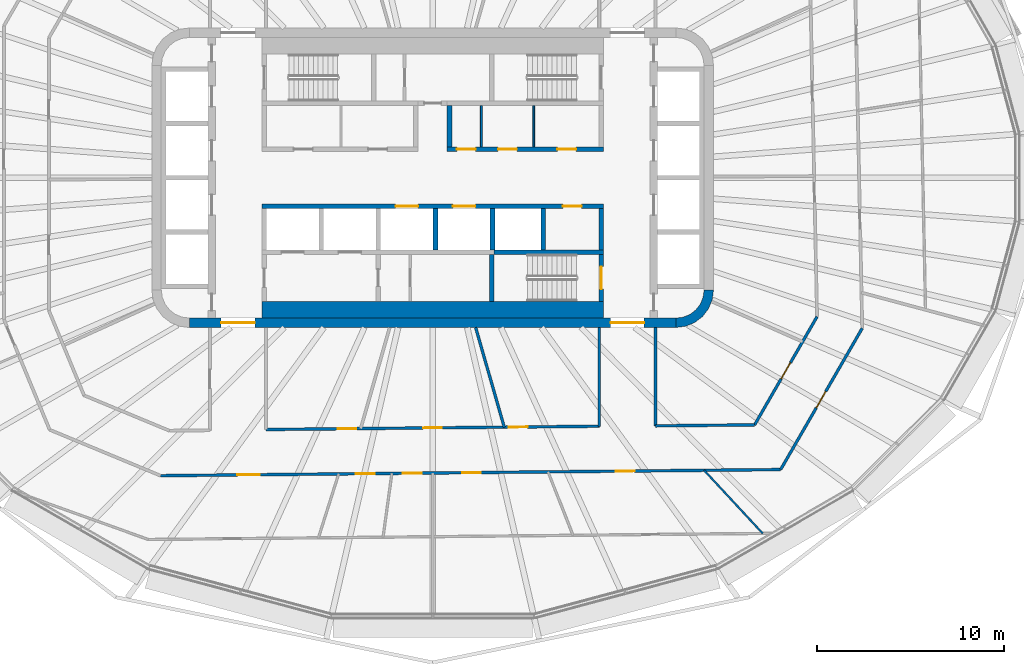
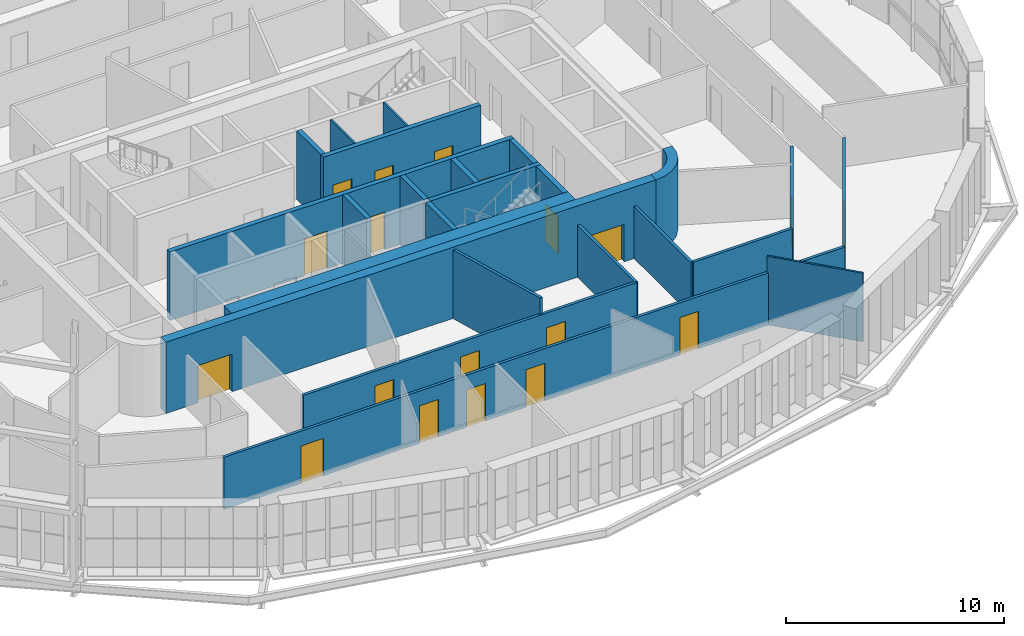
# One storey, part 13 of 24: 24 walls, 19 doors, 19 openings.
"""IFC4 building model written with IfcOpenShell, lengths in metres."""

from ifc_helpers import new_model, si_unit, direction, frame, frame_2d, origin, place, context, subcontext, project, spatial, polyline, rectangle, outline, extrude, material, layer, layer_set, type_object, element, fill, save


model = new_model("IFC4")

# Units and contexts
model_context = context("Model", 3, precision=1e-05, world=origin(), true_north=direction((0.0, 1.0)))
body_context = subcontext(model_context, "Body", "Model", "MODEL_VIEW")
ifc_project = project(units=[si_unit("LENGTHUNIT", "METRE"), si_unit("AREAUNIT", "SQUARE_METRE"), si_unit("VOLUMEUNIT", "CUBIC_METRE"), si_unit("PLANEANGLEUNIT", "RADIAN"), si_unit("MASSUNIT", "GRAM", prefix="KILO")], contexts=[model_context])

# Site, building, storey
site_placement = place(None, origin())
site = spatial("IfcSite", under=ifc_project, at=site_placement, CompositionType="ELEMENT")
building_placement = place(site_placement, origin())
building = spatial("IfcBuilding", under=site, at=building_placement, Name="Sahrelin Media Tower", CompositionType="ELEMENT")
storey_placement = place(building_placement, frame((0.0, 0.0, 153.60009765625)))
storey = spatial("IfcBuildingStorey", under=building, at=storey_placement, Name="L31", CompositionType="ELEMENT", Elevation=153.60009765625)

# Wall, openings, doors
ifc_material_1 = material(Name="Concrete C60/75", Category="concrete")
ifc_layer_1 = layer(ifc_material_1, 0.5)
ifc_layer_set_1 = layer_set([ifc_layer_1], Name="Core wall 500")
wall_type_1 = type_object("IfcWallType", Name="Core wall 500", PredefinedType="SHEAR", material=ifc_layer_set_1)
wall_1_placement = place(storey_placement, frame((-13.0, -7.75, 0.0), z_axis=(0.0, 0.0, 1.0), x_axis=(1.0, 0.0, 0.0)))
wall_1 = element("IfcWall", 1, at=wall_1_placement, inside=storey, type_object=wall_type_1, Name="Core wall S L31", PredefinedType="SHEAR", context=body_context, shape_type="SweptSolid", body=[
    extrude(rectangle(XDim=26.0, YDim=0.5, at=frame_2d((13.0, 0.0))), origin(), (0.0, 0.0, 1.0), 4.0),
])
opening_1_placement = place(wall_1_placement, frame((1.699951171875, 0.0, 0.0)))
opening_1 = element("IfcOpeningElement", 2, at=opening_1_placement, cuts=wall_1, Name="Opening L31-D21", PredefinedType="OPENING", context=body_context, shape_type="SweptSolid", body=[
    extrude(rectangle(XDim=1.800048828125, YDim=2.10009765625, at=frame_2d((0.89990234375, 1.050048828125))), frame((0.0, 0.25, 0.0), z_axis=(0.0, -1.0, 0.0), x_axis=(1.0, 0.0, 0.0)), (0.0, 0.0, 1.0), 0.5),
])
opening_2_placement = place(wall_1_placement, frame((22.5, 0.0, 0.0)))
opening_2 = element("IfcOpeningElement", 3, at=opening_2_placement, cuts=wall_1, Name="Opening L31-D22", PredefinedType="OPENING", context=body_context, shape_type="SweptSolid", body=[
    extrude(rectangle(XDim=1.800048828125, YDim=2.10009765625, at=frame_2d((0.89990234375, 1.050048828125))), frame((0.0, 0.25, 0.0), z_axis=(0.0, -1.0, 0.0), x_axis=(1.0, 0.0, 0.0)), (0.0, 0.0, 1.0), 0.5),
])
ifc_material_2 = material(Name="Steel fire door leaf", Category="steel")
door_type_1 = type_object("IfcDoorType", Name="Lobby double door 1800 x 2100 EI 60", OperationType="DOUBLE_DOOR_SINGLE_SWING", PredefinedType="DOOR", material=ifc_material_2)
door_1_placement = place(opening_1_placement, origin())
door_1 = element("IfcDoor", 4, at=door_1_placement, inside=storey, type_object=door_type_1, Name="Lobby door", OperationType="DOUBLE_DOOR_SINGLE_SWING", OverallHeight=2.10009765625, OverallWidth=1.800048828125, PredefinedType="DOOR", context=body_context, shape_type="SweptSolid", body=[
    extrude(rectangle(XDim=1.800048828125, YDim=2.10009765625, at=frame_2d((0.89990234375, 1.050048828125))), frame((0.0, 0.02490234375, 0.0), z_axis=(0.0, -1.0, 0.0), x_axis=(1.0, 0.0, 0.0)), (0.0, 0.0, 1.0), 0.050048828125),
])
fill(opening_1, door_1)
door_2_placement = place(opening_2_placement, origin())
door_2 = element("IfcDoor", 5, at=door_2_placement, inside=storey, type_object=door_type_1, Name="Lobby door", OperationType="DOUBLE_DOOR_SINGLE_SWING", OverallHeight=2.10009765625, OverallWidth=1.800048828125, PredefinedType="DOOR", context=body_context, shape_type="SweptSolid", body=[
    extrude(rectangle(XDim=1.800048828125, YDim=2.10009765625, at=frame_2d((0.89990234375, 1.050048828125))), frame((0.0, 0.02490234375, 0.0), z_axis=(0.0, -1.0, 0.0), x_axis=(1.0, 0.0, 0.0)), (0.0, 0.0, 1.0), 0.050048828125),
])
fill(opening_2, door_2)

# Wall
wall_2_placement = place(storey_placement, origin())
element("IfcWall", 6, at=wall_2_placement, inside=storey, type_object=wall_type_1, Name="Core wall corner SE L31", PredefinedType="SHEAR", context=body_context, shape_type="SweptSolid", body=[
    extrude(outline(polyline([(15.0, -6.0), (14.49560546875, -6.0), (14.44482421875, -6.38720703125), (14.29541015625, -6.747802734375), (14.0576171875, -7.0576171875), (13.747802734375, -7.29541015625), (13.38720703125, -7.44482421875), (13.0, -7.49560546875), (13.0, -8.0), (13.517578125, -7.931884765625), (14.0, -7.732177734375), (14.414306640625, -7.414306640625), (14.732177734375, -7.0), (14.931884765625, -6.517578125), (15.0, -6.0)])), origin(), (0.0, 0.0, 1.0), 4.0),
])

# Wall, openings, doors
ifc_material_3 = material(Name="Fire-rated gypsum board partition")
ifc_layer_2 = layer(ifc_material_3, 0.25)
ifc_layer_set_2 = layer_set([ifc_layer_2], Name="Fire-rated lobby wall 250")
wall_type_2 = type_object("IfcWallType", Name="Fire-rated lobby wall 250", PredefinedType="PARTITIONING", material=ifc_layer_set_2)
wall_3_placement = place(storey_placement, frame((0.77490234375, 1.52490234375, 0.0), z_axis=(0.0, 0.0, 1.0), x_axis=(1.0, 0.0, 0.0)))
wall_3 = element("IfcWall", 7, at=wall_3_placement, inside=storey, type_object=wall_type_2, Name="Core lobby wall", PredefinedType="PARTITIONING", context=body_context, shape_type="SweptSolid", body=[
    extrude(rectangle(XDim=8.35009765625, YDim=0.25, at=frame_2d((4.175048828125, 0.0))), origin(), (0.0, 0.0, 1.0), 3.849853515625),
])
opening_3_placement = place(wall_3_placement, frame((0.512451171875, 0.0, 0.0)))
opening_3 = element("IfcOpeningElement", 8, at=opening_3_placement, cuts=wall_3, Name="Opening L31-D11", PredefinedType="OPENING", context=body_context, shape_type="SweptSolid", body=[
    extrude(rectangle(XDim=1.0, YDim=2.10009765625, at=frame_2d((0.5, 1.050048828125))), frame((0.0, 0.125, 0.0), z_axis=(0.0, -1.0, 0.0), x_axis=(1.0, 0.0, 0.0)), (0.0, 0.0, 1.0), 0.25),
])
opening_4_placement = place(wall_3_placement, frame((2.72509765625, 0.0, 0.0)))
opening_4 = element("IfcOpeningElement", 9, at=opening_4_placement, cuts=wall_3, Name="Opening L31-D12", PredefinedType="OPENING", context=body_context, shape_type="SweptSolid", body=[
    extrude(rectangle(XDim=1.0, YDim=2.10009765625, at=frame_2d((0.5, 1.050048828125))), frame((0.0, 0.125, 0.0), z_axis=(0.0, -1.0, 0.0), x_axis=(1.0, 0.0, 0.0)), (0.0, 0.0, 1.0), 0.25),
])
opening_5_placement = place(wall_3_placement, frame((5.887451171875, 0.0, 0.0)))
opening_5 = element("IfcOpeningElement", 10, at=opening_5_placement, cuts=wall_3, Name="Opening L31-D13", PredefinedType="OPENING", context=body_context, shape_type="SweptSolid", body=[
    extrude(rectangle(XDim=1.0, YDim=2.10009765625, at=frame_2d((0.5, 1.050048828125))), frame((0.0, 0.125, 0.0), z_axis=(0.0, -1.0, 0.0), x_axis=(1.0, 0.0, 0.0)), (0.0, 0.0, 1.0), 0.25),
])
door_type_2 = type_object("IfcDoorType", Name="Fire door 1000 x 2100 EI 60", OperationType="NOTDEFINED", PredefinedType="DOOR", material=ifc_material_2)
door_3_placement = place(opening_3_placement, origin())
door_3 = element("IfcDoor", 11, at=door_3_placement, inside=storey, type_object=door_type_2, Name="Core room door", OperationType="SINGLE_SWING_LEFT", OverallHeight=2.10009765625, OverallWidth=1.0, PredefinedType="DOOR", context=body_context, shape_type="SweptSolid", body=[
    extrude(rectangle(XDim=1.0, YDim=2.10009765625, at=frame_2d((0.5, 1.050048828125))), frame((0.0, 0.02490234375, 0.0), z_axis=(0.0, -1.0, 0.0), x_axis=(1.0, 0.0, 0.0)), (0.0, 0.0, 1.0), 0.050048828125),
])
fill(opening_3, door_3)
door_4_placement = place(opening_4_placement, origin())
door_4 = element("IfcDoor", 12, at=door_4_placement, inside=storey, type_object=door_type_2, Name="Core room door", OperationType="SINGLE_SWING_LEFT", OverallHeight=2.10009765625, OverallWidth=1.0, PredefinedType="DOOR", context=body_context, shape_type="SweptSolid", body=[
    extrude(rectangle(XDim=1.0, YDim=2.10009765625, at=frame_2d((0.5, 1.050048828125))), frame((0.0, 0.02490234375, 0.0), z_axis=(0.0, -1.0, 0.0), x_axis=(1.0, 0.0, 0.0)), (0.0, 0.0, 1.0), 0.050048828125),
])
fill(opening_4, door_4)
door_5_placement = place(opening_5_placement, origin())
door_5 = element("IfcDoor", 13, at=door_5_placement, inside=storey, type_object=door_type_2, Name="Core room door", OperationType="SINGLE_SWING_LEFT", OverallHeight=2.10009765625, OverallWidth=1.0, PredefinedType="DOOR", context=body_context, shape_type="SweptSolid", body=[
    extrude(rectangle(XDim=1.0, YDim=2.10009765625, at=frame_2d((0.5, 1.050048828125))), frame((0.0, 0.02490234375, 0.0), z_axis=(0.0, -1.0, 0.0), x_axis=(1.0, 0.0, 0.0)), (0.0, 0.0, 1.0), 0.050048828125),
])
fill(opening_5, door_5)

# Walls
wall_4_placement = place(storey_placement, frame((0.89990234375, 1.64990234375, 0.0), z_axis=(0.0, 0.0, 1.0), x_axis=(0.0, 1.0, 0.0)))
element("IfcWall", 14, at=wall_4_placement, inside=storey, type_object=wall_type_2, Name="Core lobby wall", PredefinedType="PARTITIONING", context=body_context, shape_type="SweptSolid", body=[
    extrude(rectangle(XDim=2.2001953125, YDim=0.25, at=frame_2d((1.10009765625, 0.0))), origin(), (0.0, 0.0, 1.0), 3.849853515625),
])
ifc_layer_3 = layer(ifc_material_3, 0.10009765625)
ifc_layer_set_3 = layer_set([ifc_layer_3], Name="Fire-rated partition 100")
wall_type_3 = type_object("IfcWallType", Name="Fire-rated partition 100", PredefinedType="PARTITIONING", material=ifc_layer_set_3)
for number, where, z_axis, x_axis, name in (
    (15, (2.60009765625, 1.64990234375, 0.0), (0.0, 0.0, 1.0), (0.0, 1.0, 0.0), "Core room partition"),
    (16, (5.39990234375, 1.64990234375, 0.0), (0.0, 0.0, 1.0), (0.0, 1.0, 0.0), "Core room partition"),
):
    element("IfcWall", number, at=place(storey_placement, frame(where, z_axis=z_axis, x_axis=x_axis)), inside=storey, type_object=wall_type_3, Name=name, PredefinedType="PARTITIONING", context=body_context, shape_type="SweptSolid", body=[
        extrude(rectangle(XDim=2.2001953125, YDim=0.10009765625, at=frame_2d((1.10009765625, 0.0))), origin(), (0.0, 0.0, 1.0), 3.849853515625),
    ])
ifc_layer_4 = layer(ifc_material_3, 0.14990234375)
ifc_layer_set_4 = layer_set([ifc_layer_4], Name="Fire-rated partition 150")
wall_type_4 = type_object("IfcWallType", Name="Fire-rated partition 150", PredefinedType="PARTITIONING", material=ifc_layer_set_4)
wall_5_placement = place(storey_placement, frame((2.2958984375, -8.0, 0.0), z_axis=(0.0, 0.0, 1.0), x_axis=(0.275935525478, -0.961176147113, 0.0)))
element("IfcWall", 17, at=wall_5_placement, inside=storey, type_object=wall_type_4, Name="Wall", PredefinedType="PARTITIONING", context=body_context, shape_type="SweptSolid", body=[
    extrude(rectangle(XDim=5.54833984375, YDim=0.14990234375, at=frame_2d((2.774169921875, 0.0))), origin(), (0.0, 0.0, 1.0), 3.849853515625),
])

# Wall, openings, doors
wall_6_placement = place(storey_placement, frame((-14.533935546875, -15.915283203125, 0.0), z_axis=(0.0, 0.0, 1.0), x_axis=(0.999950930262, 0.009906415532, 0.0)))
wall_6 = element("IfcWall", 18, at=wall_6_placement, inside=storey, type_object=wall_type_4, Name="Wall", PredefinedType="PARTITIONING", context=body_context, shape_type="SweptSolid", body=[
    extrude(rectangle(XDim=33.12255859375, YDim=0.14990234375, at=frame_2d((16.561279296875, 0.0))), origin(), (0.0, 0.0, 1.0), 2.927001953125),
])
opening_6_placement = place(wall_6_placement, frame((4.10595703125, 0.0, 0.0)))
opening_6 = element("IfcOpeningElement", 19, at=opening_6_placement, cuts=wall_6, Name="Opening L31-D45", PredefinedType="OPENING", context=body_context, shape_type="SweptSolid", body=[
    extrude(rectangle(XDim=1.199951171875, YDim=2.10009765625, at=frame_2d((0.60009765625, 1.050048828125))), frame((0.0, 0.074951171875, 0.0), z_axis=(0.0, -1.0, 0.0), x_axis=(1.0, 0.0, 0.0)), (0.0, 0.0, 1.0), 0.14990234375),
])
opening_7_placement = place(wall_6_placement, frame((10.43408203125, 0.0, 0.0)))
opening_7 = element("IfcOpeningElement", 20, at=opening_7_placement, cuts=wall_6, Name="Opening L31-D46", PredefinedType="OPENING", context=body_context, shape_type="SweptSolid", body=[
    extrude(rectangle(XDim=1.0, YDim=2.10009765625, at=frame_2d((0.5, 1.050048828125))), frame((0.0, 0.074951171875, 0.0), z_axis=(0.0, -1.0, 0.0), x_axis=(1.0, 0.0, 0.0)), (0.0, 0.0, 1.0), 0.14990234375),
])
opening_8_placement = place(wall_6_placement, frame((12.94189453125, 0.0, 0.0)))
opening_8 = element("IfcOpeningElement", 21, at=opening_8_placement, cuts=wall_6, Name="Opening L31-D47", PredefinedType="OPENING", context=body_context, shape_type="SweptSolid", body=[
    extrude(rectangle(XDim=1.0, YDim=2.10009765625, at=frame_2d((0.5, 1.050048828125))), frame((0.0, 0.074951171875, 0.0), z_axis=(0.0, -1.0, 0.0), x_axis=(1.0, 0.0, 0.0)), (0.0, 0.0, 1.0), 0.14990234375),
])
opening_9_placement = place(wall_6_placement, frame((16.111328125, 0.0, 0.0)))
opening_9 = element("IfcOpeningElement", 22, at=opening_9_placement, cuts=wall_6, Name="Opening L31-D49", PredefinedType="OPENING", context=body_context, shape_type="SweptSolid", body=[
    extrude(rectangle(XDim=1.0, YDim=2.10009765625, at=frame_2d((0.5, 1.050048828125))), frame((0.0, 0.074951171875, 0.0), z_axis=(0.0, -1.0, 0.0), x_axis=(1.0, 0.0, 0.0)), (0.0, 0.0, 1.0), 0.14990234375),
])
opening_10_placement = place(wall_6_placement, frame((24.317626953125, 0.0, 0.0)))
opening_10 = element("IfcOpeningElement", 23, at=opening_10_placement, cuts=wall_6, Name="Opening L31-D50", PredefinedType="OPENING", context=body_context, shape_type="SweptSolid", body=[
    extrude(rectangle(XDim=1.0, YDim=2.10009765625, at=frame_2d((0.5, 1.050048828125))), frame((0.0, 0.074951171875, 0.0), z_axis=(0.0, -1.0, 0.0), x_axis=(1.0, 0.0, 0.0)), (0.0, 0.0, 1.0), 0.14990234375),
])
door_6_placement = place(opening_7_placement, origin())
door_6 = element("IfcDoor", 24, at=door_6_placement, inside=storey, type_object=door_type_2, Name="Fire door", OperationType="SINGLE_SWING_LEFT", OverallHeight=2.10009765625, OverallWidth=1.0, PredefinedType="DOOR", context=body_context, shape_type="SweptSolid", body=[
    extrude(rectangle(XDim=1.0, YDim=2.10009765625, at=frame_2d((0.5, 1.050048828125))), frame((0.0, 0.02490234375, 0.0), z_axis=(0.0, -1.0, 0.0), x_axis=(1.0, 0.0, 0.0)), (0.0, 0.0, 1.0), 0.050048828125),
])
fill(opening_7, door_6)
door_7_placement = place(opening_8_placement, origin())
door_7 = element("IfcDoor", 25, at=door_7_placement, inside=storey, type_object=door_type_2, Name="Fire door", OperationType="SINGLE_SWING_LEFT", OverallHeight=2.10009765625, OverallWidth=1.0, PredefinedType="DOOR", context=body_context, shape_type="SweptSolid", body=[
    extrude(rectangle(XDim=1.0, YDim=2.10009765625, at=frame_2d((0.5, 1.050048828125))), frame((0.0, 0.02490234375, 0.0), z_axis=(0.0, -1.0, 0.0), x_axis=(1.0, 0.0, 0.0)), (0.0, 0.0, 1.0), 0.050048828125),
])
fill(opening_8, door_7)
door_8_placement = place(opening_9_placement, origin())
door_8 = element("IfcDoor", 26, at=door_8_placement, inside=storey, type_object=door_type_2, Name="Fire door", OperationType="SINGLE_SWING_LEFT", OverallHeight=2.10009765625, OverallWidth=1.0, PredefinedType="DOOR", context=body_context, shape_type="SweptSolid", body=[
    extrude(rectangle(XDim=1.0, YDim=2.10009765625, at=frame_2d((0.5, 1.050048828125))), frame((0.0, 0.02490234375, 0.0), z_axis=(0.0, -1.0, 0.0), x_axis=(1.0, 0.0, 0.0)), (0.0, 0.0, 1.0), 0.050048828125),
])
fill(opening_9, door_8)
door_9_placement = place(opening_10_placement, origin())
door_9 = element("IfcDoor", 27, at=door_9_placement, inside=storey, type_object=door_type_2, Name="Fire door", OperationType="SINGLE_SWING_RIGHT", OverallHeight=2.10009765625, OverallWidth=1.0, PredefinedType="DOOR", context=body_context, shape_type="SweptSolid", body=[
    extrude(rectangle(XDim=1.0, YDim=2.10009765625, at=frame_2d((0.5, 1.050048828125))), frame((0.0, 0.02490234375, 0.0), z_axis=(0.0, -1.0, 0.0), x_axis=(1.0, 0.0, 0.0)), (0.0, 0.0, 1.0), 0.050048828125),
])
fill(opening_10, door_9)
door_type_3 = type_object("IfcDoorType", Name="Service double door 1200 x 2100 EI 60", OperationType="DOUBLE_DOOR_SINGLE_SWING", PredefinedType="DOOR", material=ifc_material_2)
door_10_placement = place(opening_6_placement, origin())
door_10 = element("IfcDoor", 28, at=door_10_placement, inside=storey, type_object=door_type_3, Name="Service double door", OperationType="DOUBLE_DOOR_SINGLE_SWING", OverallHeight=2.10009765625, OverallWidth=1.199951171875, PredefinedType="DOOR", context=body_context, shape_type="SweptSolid", body=[
    extrude(rectangle(XDim=1.199951171875, YDim=2.10009765625, at=frame_2d((0.60009765625, 1.050048828125))), frame((0.0, 0.02490234375, 0.0), z_axis=(0.0, -1.0, 0.0), x_axis=(1.0, 0.0, 0.0)), (0.0, 0.0, 1.0), 0.050048828125),
])
fill(opening_6, door_10)

wall_7_placement = place(storey_placement, frame((-8.89990234375, -13.448974609375, 0.0), z_axis=(0.0, 0.0, 1.0), x_axis=(0.999950834077, 0.009916119672, 0.0)))
wall_7 = element("IfcWall", 29, at=wall_7_placement, inside=storey, type_object=wall_type_4, Name="Wall", PredefinedType="PARTITIONING", context=body_context, shape_type="SweptSolid", body=[
    extrude(rectangle(XDim=17.80078125, YDim=0.14990234375, at=frame_2d((8.900390625, 0.0))), origin(), (0.0, 0.0, 1.0), 2.927001953125),
])
opening_11_placement = place(wall_7_placement, frame((3.81787109375, 0.0, 0.0)))
opening_11 = element("IfcOpeningElement", 30, at=opening_11_placement, cuts=wall_7, Name="Opening L31-D23", PredefinedType="OPENING", context=body_context, shape_type="SweptSolid", body=[
    extrude(rectangle(XDim=1.0, YDim=2.10009765625, at=frame_2d((0.5, 1.050048828125))), frame((0.0, 0.074951171875, 0.0), z_axis=(0.0, -1.0, 0.0), x_axis=(1.0, 0.0, 0.0)), (0.0, 0.0, 1.0), 0.14990234375),
])
opening_12_placement = place(wall_7_placement, frame((8.390625, 0.0, 0.0)))
opening_12 = element("IfcOpeningElement", 31, at=opening_12_placement, cuts=wall_7, Name="Opening L31-D24", PredefinedType="OPENING", context=body_context, shape_type="SweptSolid", body=[
    extrude(rectangle(XDim=1.0, YDim=2.10009765625, at=frame_2d((0.5, 1.050048828125))), frame((0.0, 0.074951171875, 0.0), z_axis=(0.0, -1.0, 0.0), x_axis=(1.0, 0.0, 0.0)), (0.0, 0.0, 1.0), 0.14990234375),
])
opening_13_placement = place(wall_7_placement, frame((12.974609375, 0.0, 0.0)))
opening_13 = element("IfcOpeningElement", 32, at=opening_13_placement, cuts=wall_7, Name="Opening L31-D25", PredefinedType="OPENING", context=body_context, shape_type="SweptSolid", body=[
    extrude(rectangle(XDim=1.0, YDim=2.10009765625, at=frame_2d((0.5, 1.050048828125))), frame((0.0, 0.074951171875, 0.0), z_axis=(0.0, -1.0, 0.0), x_axis=(1.0, 0.0, 0.0)), (0.0, 0.0, 1.0), 0.14990234375),
])
door_11_placement = place(opening_11_placement, origin())
door_11 = element("IfcDoor", 33, at=door_11_placement, inside=storey, type_object=door_type_2, Name="Fire door", OperationType="SINGLE_SWING_RIGHT", OverallHeight=2.10009765625, OverallWidth=1.0, PredefinedType="DOOR", context=body_context, shape_type="SweptSolid", body=[
    extrude(rectangle(XDim=1.0, YDim=2.10009765625, at=frame_2d((0.5, 1.050048828125))), frame((0.0, 0.02490234375, 0.0), z_axis=(0.0, -1.0, 0.0), x_axis=(1.0, 0.0, 0.0)), (0.0, 0.0, 1.0), 0.050048828125),
])
fill(opening_11, door_11)
door_12_placement = place(opening_12_placement, origin())
door_12 = element("IfcDoor", 34, at=door_12_placement, inside=storey, type_object=door_type_2, Name="Fire door", OperationType="SINGLE_SWING_RIGHT", OverallHeight=2.10009765625, OverallWidth=1.0, PredefinedType="DOOR", context=body_context, shape_type="SweptSolid", body=[
    extrude(rectangle(XDim=1.0, YDim=2.10009765625, at=frame_2d((0.5, 1.050048828125))), frame((0.0, 0.02490234375, 0.0), z_axis=(0.0, -1.0, 0.0), x_axis=(1.0, 0.0, 0.0)), (0.0, 0.0, 1.0), 0.050048828125),
])
fill(opening_12, door_12)
door_13_placement = place(opening_13_placement, origin())
door_13 = element("IfcDoor", 35, at=door_13_placement, inside=storey, type_object=door_type_2, Name="Fire door", OperationType="SINGLE_SWING_RIGHT", OverallHeight=2.10009765625, OverallWidth=1.0, PredefinedType="DOOR", context=body_context, shape_type="SweptSolid", body=[
    extrude(rectangle(XDim=1.0, YDim=2.10009765625, at=frame_2d((0.5, 1.050048828125))), frame((0.0, 0.02490234375, 0.0), z_axis=(0.0, -1.0, 0.0), x_axis=(1.0, 0.0, 0.0)), (0.0, 0.0, 1.0), 0.050048828125),
])
fill(opening_13, door_13)

# Wall
wall_8_placement = place(storey_placement, frame((11.89990234375, -13.2529296875, 0.0), z_axis=(0.0, 0.0, 1.0), x_axis=(0.999950853109, 0.009914200296, 0.0)))
element("IfcWall", 36, at=wall_8_placement, inside=storey, type_object=wall_type_4, Name="Wall", PredefinedType="PARTITIONING", context=body_context, shape_type="SweptSolid", body=[
    extrude(rectangle(XDim=5.29443359375, YDim=0.14990234375, at=frame_2d((2.647216796875, 0.0))), origin(), (0.0, 0.0, 1.0), 2.994873046875),
])

# Wall, opening, door
wall_9_placement = place(storey_placement, frame((18.5869140625, -15.5869140625, 0.0), z_axis=(0.0, 0.0, 1.0), x_axis=(0.500005419212, 0.866022274979, 0.0)))
wall_9 = element("IfcWall", 37, at=wall_9_placement, inside=storey, type_object=wall_type_4, Name="Wall", PredefinedType="PARTITIONING", context=body_context, shape_type="SweptSolid", body=[
    extrude(rectangle(XDim=8.71337890625, YDim=0.14990234375, at=frame_2d((4.356689453125, 0.0))), origin(), (0.0, 0.0, 1.0), 2.927001953125),
])
opening_14_placement = place(wall_9_placement, frame((3.8076171875, 0.0, 0.0)))
opening_14 = element("IfcOpeningElement", 38, at=opening_14_placement, cuts=wall_9, Name="Opening L31-D51", PredefinedType="OPENING", context=body_context, shape_type="SweptSolid", body=[
    extrude(rectangle(XDim=1.0, YDim=2.10009765625, at=frame_2d((0.5, 1.050048828125))), frame((0.0, 0.074951171875, 0.0), z_axis=(0.0, -1.0, 0.0), x_axis=(1.0, 0.0, 0.0)), (0.0, 0.0, 1.0), 0.14990234375),
])
door_14_placement = place(opening_14_placement, origin())
door_14 = element("IfcDoor", 39, at=door_14_placement, inside=storey, type_object=door_type_2, Name="Fire door", OperationType="SINGLE_SWING_LEFT", OverallHeight=2.10009765625, OverallWidth=1.0, PredefinedType="DOOR", context=body_context, shape_type="SweptSolid", body=[
    extrude(rectangle(XDim=1.0, YDim=2.10009765625, at=frame_2d((0.5, 1.050048828125))), frame((0.0, 0.02490234375, 0.0), z_axis=(0.0, -1.0, 0.0), x_axis=(1.0, 0.0, 0.0)), (0.0, 0.0, 1.0), 0.050048828125),
])
fill(opening_14, door_14)

wall_10_placement = place(storey_placement, frame((17.194091796875, -13.200927734375, 0.0), z_axis=(0.0, 0.0, 1.0), x_axis=(0.499983182885, 0.866035112932, 0.0)))
wall_10 = element("IfcWall", 40, at=wall_10_placement, inside=storey, type_object=wall_type_4, Name="Wall", PredefinedType="PARTITIONING", context=body_context, shape_type="SweptSolid", body=[
    extrude(rectangle(XDim=6.673583984375, YDim=0.14990234375, at=frame_2d((3.3369140625, 0.0))), origin(), (0.0, 0.0, 1.0), 2.927001953125),
])
opening_15_placement = place(wall_10_placement, frame((2.833740234375, 0.0, 0.0)))
opening_15 = element("IfcOpeningElement", 41, at=opening_15_placement, cuts=wall_10, Name="Opening L31-D26", PredefinedType="OPENING", context=body_context, shape_type="SweptSolid", body=[
    extrude(rectangle(XDim=1.0, YDim=2.10009765625, at=frame_2d((0.5, 1.050048828125))), frame((0.0, 0.074951171875, 0.0), z_axis=(0.0, -1.0, 0.0), x_axis=(1.0, 0.0, 0.0)), (0.0, 0.0, 1.0), 0.14990234375),
])
door_15_placement = place(opening_15_placement, origin())
door_15 = element("IfcDoor", 42, at=door_15_placement, inside=storey, type_object=door_type_2, Name="Fire door", OperationType="SINGLE_SWING_LEFT", OverallHeight=2.10009765625, OverallWidth=1.0, PredefinedType="DOOR", context=body_context, shape_type="SweptSolid", body=[
    extrude(rectangle(XDim=1.0, YDim=2.10009765625, at=frame_2d((0.5, 1.050048828125))), frame((0.0, 0.02490234375, 0.0), z_axis=(0.0, -1.0, 0.0), x_axis=(1.0, 0.0, 0.0)), (0.0, 0.0, 1.0), 0.050048828125),
])
fill(opening_15, door_15)

# Walls
wall_11_placement = place(storey_placement, frame((11.89990234375, -13.2529296875, 0.0), z_axis=(0.0, 0.0, 1.0), x_axis=(0.0, 1.0, 0.0)))
element("IfcWall", 43, at=wall_11_placement, inside=storey, type_object=wall_type_4, Name="Wall", PredefinedType="PARTITIONING", context=body_context, shape_type="SweptSolid", body=[
    extrude(rectangle(XDim=5.2529296875, YDim=0.14990234375, at=frame_2d((2.62646484375, 0.0))), origin(), (0.0, 0.0, 1.0), 2.927001953125),
])
wall_12_placement = place(storey_placement, frame((8.89990234375, -13.282958984375, 0.0), z_axis=(0.0, 0.0, 1.0), x_axis=(0.0, 1.0, 0.0)))
element("IfcWall", 44, at=wall_12_placement, inside=storey, type_object=wall_type_4, Name="Wall", PredefinedType="PARTITIONING", context=body_context, shape_type="SweptSolid", body=[
    extrude(rectangle(XDim=5.282958984375, YDim=0.14990234375, at=frame_2d((2.6416015625, 0.0))), origin(), (0.0, 0.0, 1.0), 2.927001953125),
])

# Wall, openings, doors
ifc_layer_5 = layer(ifc_material_1, 0.25)
ifc_layer_set_5 = layer_set([ifc_layer_5], Name="Lift shaft wall 250")
wall_type_5 = type_object("IfcWallType", Name="Lift shaft wall 250", PredefinedType="SOLIDWALL", material=ifc_layer_set_5)
wall_13_placement = place(storey_placement, frame((-9.125, -1.52490234375, 0.0), z_axis=(0.0, 0.0, 1.0), x_axis=(1.0, 0.0, 0.0)))
wall_13 = element("IfcWall", 45, at=wall_13_placement, inside=storey, type_object=wall_type_5, Name="Lift shaft wall", PredefinedType="SOLIDWALL", context=body_context, shape_type="SweptSolid", body=[
    extrude(rectangle(XDim=18.25, YDim=0.25, at=frame_2d((9.125, 0.0))), origin(), (0.0, 0.0, 1.0), 3.849853515625),
])
opening_16_placement = place(wall_13_placement, frame((7.14990234375, 0.0, 0.0)))
opening_16 = element("IfcOpeningElement", 46, at=opening_16_placement, cuts=wall_13, Name="Opening L31-LD-SV1", PredefinedType="OPENING", context=body_context, shape_type="SweptSolid", body=[
    extrude(rectangle(XDim=1.199951171875, YDim=2.10009765625, at=frame_2d((0.60009765625, 1.050048828125))), frame((0.0, 0.125, 0.0), z_axis=(0.0, -1.0, 0.0), x_axis=(1.0, 0.0, 0.0)), (0.0, 0.0, 1.0), 0.25),
])
opening_17_placement = place(wall_13_placement, frame((10.199951171875, 0.0, 0.0)))
opening_17 = element("IfcOpeningElement", 47, at=opening_17_placement, cuts=wall_13, Name="Opening L31-LD-SV2", PredefinedType="OPENING", context=body_context, shape_type="SweptSolid", body=[
    extrude(rectangle(XDim=1.199951171875, YDim=2.10009765625, at=frame_2d((0.60009765625, 1.050048828125))), frame((0.0, 0.125, 0.0), z_axis=(0.0, -1.0, 0.0), x_axis=(1.0, 0.0, 0.0)), (0.0, 0.0, 1.0), 0.25),
])
opening_18_placement = place(wall_13_placement, frame((16.074951171875, 0.0, 0.0)))
opening_18 = element("IfcOpeningElement", 48, at=opening_18_placement, cuts=wall_13, Name="Opening L31-D14", PredefinedType="OPENING", context=body_context, shape_type="SweptSolid", body=[
    extrude(rectangle(XDim=1.0, YDim=2.10009765625, at=frame_2d((0.5, 1.050048828125))), frame((0.0, 0.125, 0.0), z_axis=(0.0, -1.0, 0.0), x_axis=(1.0, 0.0, 0.0)), (0.0, 0.0, 1.0), 0.25),
])
door_16_placement = place(opening_18_placement, origin())
door_16 = element("IfcDoor", 49, at=door_16_placement, inside=storey, type_object=door_type_2, Name="Core room door", OperationType="SINGLE_SWING_RIGHT", OverallHeight=2.10009765625, OverallWidth=1.0, PredefinedType="DOOR", context=body_context, shape_type="SweptSolid", body=[
    extrude(rectangle(XDim=1.0, YDim=2.10009765625, at=frame_2d((0.5, 1.050048828125))), frame((0.0, 0.02490234375, 0.0), z_axis=(0.0, -1.0, 0.0), x_axis=(1.0, 0.0, 0.0)), (0.0, 0.0, 1.0), 0.050048828125),
])
fill(opening_18, door_16)
ifc_material_4 = material(Name="Stainless steel", Category="steel")
door_type_4 = type_object("IfcDoorType", Name="Lift landing door 1200 x 2100 EI 120", OperationType="DOUBLE_DOOR_SLIDING", PredefinedType="DOOR", material=ifc_material_4)
door_17_placement = place(opening_16_placement, origin())
door_17 = element("IfcDoor", 50, at=door_17_placement, inside=storey, type_object=door_type_4, Name="Lift landing door SV1", OperationType="DOUBLE_DOOR_SLIDING", OverallHeight=2.10009765625, OverallWidth=1.199951171875, PredefinedType="DOOR", context=body_context, shape_type="SweptSolid", body=[
    extrude(rectangle(XDim=1.199951171875, YDim=2.10009765625, at=frame_2d((0.60009765625, 1.050048828125))), frame((0.0, 0.02490234375, 0.0), z_axis=(0.0, -1.0, 0.0), x_axis=(1.0, 0.0, 0.0)), (0.0, 0.0, 1.0), 0.050048828125),
])
fill(opening_16, door_17)
door_18_placement = place(opening_17_placement, origin())
door_18 = element("IfcDoor", 51, at=door_18_placement, inside=storey, type_object=door_type_4, Name="Lift landing door SV2", OperationType="DOUBLE_DOOR_SLIDING", OverallHeight=2.10009765625, OverallWidth=1.199951171875, PredefinedType="DOOR", context=body_context, shape_type="SweptSolid", body=[
    extrude(rectangle(XDim=1.199951171875, YDim=2.10009765625, at=frame_2d((0.60009765625, 1.050048828125))), frame((0.0, 0.02490234375, 0.0), z_axis=(0.0, -1.0, 0.0), x_axis=(1.0, 0.0, 0.0)), (0.0, 0.0, 1.0), 0.050048828125),
])
fill(opening_17, door_18)

# Walls
wall_14_placement = place(storey_placement, frame((3.27490234375, -3.97509765625, 0.0), z_axis=(0.0, 0.0, 1.0), x_axis=(1.0, 0.0, 0.0)))
element("IfcWall", 52, at=wall_14_placement, inside=storey, type_object=wall_type_5, Name="Lift shaft wall", PredefinedType="SOLIDWALL", context=body_context, shape_type="SweptSolid", body=[
    extrude(rectangle(XDim=5.85009765625, YDim=0.25, at=frame_2d((2.925048828125, 0.0))), origin(), (0.0, 0.0, 1.0), 3.849853515625),
])
for number, where, z_axis, x_axis, name in (
    (53, (0.14990234375, -3.85009765625, 0.0), (0.0, 0.0, 1.0), (0.0, 1.0, 0.0), "Lift shaft wall"),
    (54, (3.199951171875, -3.85009765625, 0.0), (0.0, 0.0, 1.0), (0.0, 1.0, 0.0), "Lift shaft wall"),
    (55, (5.89990234375, -3.85009765625, 0.0), (0.0, 0.0, 1.0), (0.0, 1.0, 0.0), "Lift shaft wall"),
    (56, (9.0, -3.85009765625, 0.0), (0.0, 0.0, 1.0), (0.0, 1.0, 0.0), "Lift shaft wall"),
):
    element("IfcWall", number, at=place(storey_placement, frame(where, z_axis=z_axis, x_axis=x_axis)), inside=storey, type_object=wall_type_5, Name=name, PredefinedType="SOLIDWALL", context=body_context, shape_type="SweptSolid", body=[
        extrude(rectangle(XDim=2.2001953125, YDim=0.25, at=frame_2d((1.10009765625, 0.0))), origin(), (0.0, 0.0, 1.0), 3.849853515625),
    ])
ifc_material_5 = material(Name="Gypsum board partition")
ifc_layer_6 = layer(ifc_material_5, 0.10009765625)
ifc_layer_set_6 = layer_set([ifc_layer_6], Name="Partition 100")
wall_type_6 = type_object("IfcWallType", Name="Partition 100", PredefinedType="PARTITIONING", material=ifc_layer_set_6)
wall_15_placement = place(storey_placement, frame((14.5009765625, -15.6279296875, 0.0), z_axis=(0.0, 0.0, 1.0), x_axis=(0.680157643832, -0.73306587667, 0.0)))
element("IfcWall", 57, at=wall_15_placement, inside=storey, type_object=wall_type_6, Name="Wall", PredefinedType="PARTITIONING", context=body_context, shape_type="SweptSolid", body=[
    extrude(rectangle(XDim=4.595947265625, YDim=0.10009765625, at=frame_2d((2.2978515625, 0.0))), origin(), (0.0, 0.0, 1.0), 3.849853515625),
])

# Wall, opening, door
ifc_layer_7 = layer(ifc_material_1, 0.25)
ifc_layer_set_7 = layer_set([ifc_layer_7], Name="Stair enclosure wall 250")
wall_type_7 = type_object("IfcWallType", Name="Stair enclosure wall 250", PredefinedType="SOLIDWALL", material=ifc_layer_set_7)
wall_16_placement = place(storey_placement, frame((9.0, -6.60009765625, 0.0), z_axis=(0.0, 0.0, 1.0), x_axis=(0.0, 1.0, 0.0)))
wall_16 = element("IfcWall", 58, at=wall_16_placement, inside=storey, type_object=wall_type_7, Name="Stair enclosure wall", PredefinedType="SOLIDWALL", context=body_context, shape_type="SweptSolid", body=[
    extrude(rectangle(XDim=2.5, YDim=0.25, at=frame_2d((1.25, 0.0))), origin(), (0.0, 0.0, 1.0), 3.849853515625),
])
opening_19_placement = place(wall_16_placement, frame((0.64990234375, 0.0, 0.0)))
opening_19 = element("IfcOpeningElement", 59, at=opening_19_placement, cuts=wall_16, Name="Opening L31-D03", PredefinedType="OPENING", context=body_context, shape_type="SweptSolid", body=[
    extrude(rectangle(XDim=1.199951171875, YDim=2.10009765625, at=frame_2d((0.60009765625, 1.050048828125))), frame((0.0, 0.125, 0.0), z_axis=(0.0, -1.0, 0.0), x_axis=(1.0, 0.0, 0.0)), (0.0, 0.0, 1.0), 0.25),
])
door_type_5 = type_object("IfcDoorType", Name="Stair door 1200 x 2100 EI 120", OperationType="NOTDEFINED", PredefinedType="DOOR", material=ifc_material_2)
door_19_placement = place(opening_19_placement, origin())
door_19 = element("IfcDoor", 60, at=door_19_placement, inside=storey, type_object=door_type_5, Name="Stair door ST2", OperationType="SINGLE_SWING_LEFT", OverallHeight=2.10009765625, OverallWidth=1.199951171875, PredefinedType="DOOR", context=body_context, shape_type="SweptSolid", body=[
    extrude(rectangle(XDim=1.199951171875, YDim=2.10009765625, at=frame_2d((0.60009765625, 1.050048828125))), frame((0.0, 0.02490234375, 0.0), z_axis=(0.0, -1.0, 0.0), x_axis=(1.0, 0.0, 0.0)), (0.0, 0.0, 1.0), 0.050048828125),
])
fill(opening_19, door_19)

# Walls
wall_17_placement = place(storey_placement, frame((3.14990234375, -6.60009765625, 0.0), z_axis=(0.0, 0.0, 1.0), x_axis=(0.0, 1.0, 0.0)))
element("IfcWall", 61, at=wall_17_placement, inside=storey, type_object=wall_type_7, Name="Stair enclosure wall", PredefinedType="SOLIDWALL", context=body_context, shape_type="SweptSolid", body=[
    extrude(rectangle(XDim=2.5, YDim=0.25, at=frame_2d((1.25, 0.0))), origin(), (0.0, 0.0, 1.0), 3.849853515625),
])
ifc_layer_8 = layer(ifc_material_1, 0.89990234375)
ifc_layer_set_8 = layer_set([ifc_layer_8], Name="Stair enclosure wall 900")
wall_type_8 = type_object("IfcWallType", Name="Stair enclosure wall 900", PredefinedType="SOLIDWALL", material=ifc_layer_set_8)
wall_18_placement = place(storey_placement, frame((-9.125, -7.050048828125, 0.0), z_axis=(0.0, 0.0, 1.0), x_axis=(1.0, 0.0, 0.0)))
element("IfcWall", 62, at=wall_18_placement, inside=storey, type_object=wall_type_8, Name="Stair enclosure wall", PredefinedType="SOLIDWALL", context=body_context, shape_type="SweptSolid", body=[
    extrude(rectangle(XDim=18.25, YDim=0.89990234375, at=frame_2d((9.125, 0.0))), origin(), (0.0, 0.0, 1.0), 3.849853515625),
])

save(model, "model.ifc")
